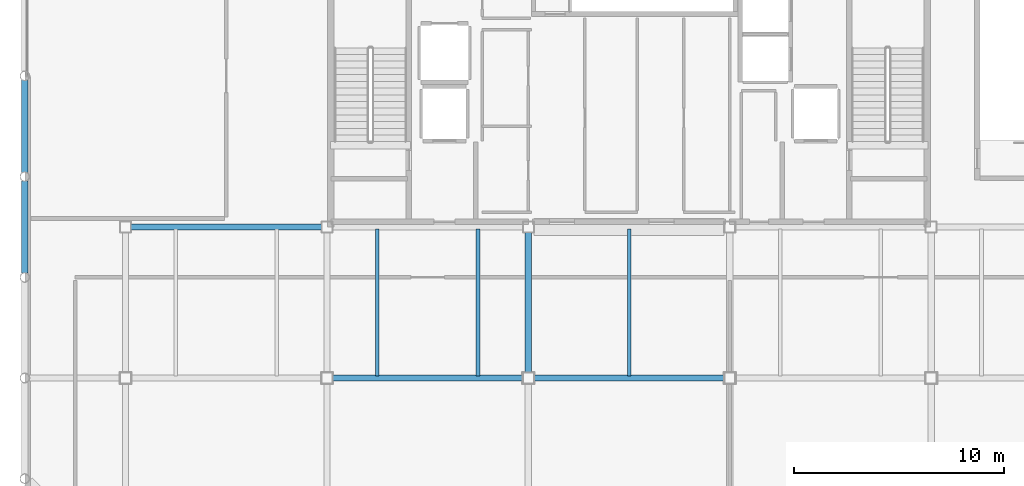
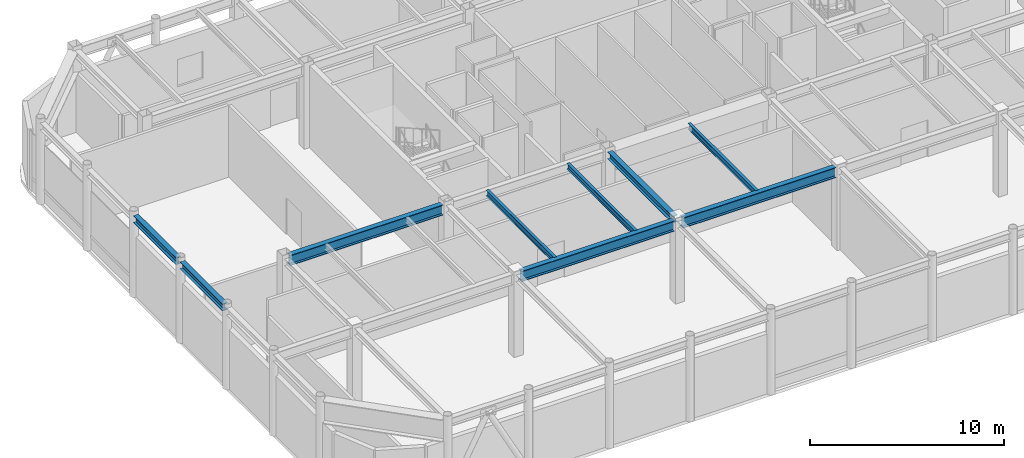
# One storey, part 6 of 21: 9 beams.
"""IFC4 building model written with IfcOpenShell, lengths in metres."""

from ifc_helpers import new_model, si_unit, direction, frame, origin, origin_2d, place, context, subcontext, project, spatial, i_section, extrude, material, material_profile, profile_set, type_object, element, save


model = new_model("IFC4")

# Units and contexts
model_context = context("Model", 3, precision=1e-05, world=origin(), true_north=direction((0.0, 1.0)))
body_context = subcontext(model_context, "Body", "Model", "MODEL_VIEW")
ifc_project = project(units=[si_unit("LENGTHUNIT", "METRE"), si_unit("AREAUNIT", "SQUARE_METRE"), si_unit("VOLUMEUNIT", "CUBIC_METRE"), si_unit("PLANEANGLEUNIT", "RADIAN"), si_unit("MASSUNIT", "GRAM", prefix="KILO")], contexts=[model_context])

# Site, building, storey
site_placement = place(None, origin())
site = spatial("IfcSite", under=ifc_project, at=site_placement, CompositionType="ELEMENT")
building_placement = place(site_placement, origin())
building = spatial("IfcBuilding", under=site, at=building_placement, Name="Kallvorn Hotel Tower", CompositionType="ELEMENT")
storey_placement = place(building_placement, frame((0.0, 0.0, 300.60009765625)))
storey = spatial("IfcBuildingStorey", under=building, at=storey_placement, Name="L74", CompositionType="ELEMENT", Elevation=300.60009765625)

# Beams
ifc_material_1 = material(Name="Structural steel S355JR", Category="steel")
ifc_material_profile_1 = material_profile(ifc_material_1, i_section(OverallWidth=0.300048828125, OverallDepth=0.43994140625, WebThickness=0.011474609375, FlangeThickness=0.02099609375, at=origin_2d()), Name="HE 450 A")
ifc_profile_set_1 = profile_set([ifc_material_profile_1], Name="Structural steel S355JR")
beam_type_1 = type_object("IfcBeamType", Name="BM_HE450A", PredefinedType="BEAM", material=ifc_profile_set_1)
beam_1_placement = place(storey_placement, frame((-28.800048828125, -9.396484375, 4.93994140625), z_axis=(0.0, 1.0, 0.0), x_axis=(-1.0, 0.0, 0.0)))
element("IfcBeam", 1, at=beam_1_placement, inside=storey, type_object=beam_type_1, Name="ROOF Primary Y-Girder 27", PredefinedType="BEAM", context=body_context, shape_type="SweptSolid", body=[
    extrude(i_section(OverallWidth=0.300048828125, OverallDepth=0.43994140625, WebThickness=0.011474609375, FlangeThickness=0.02099609375, at=origin_2d()), origin(), (0.0, 0.0, 1.0), 4.39306640625),
])
beam_2_placement = place(storey_placement, frame((-28.800048828125, -4.596435546875, 4.93994140625), z_axis=(0.0, 1.0, 0.0), x_axis=(-1.0, 0.0, 0.0)))
element("IfcBeam", 2, at=beam_2_placement, inside=storey, type_object=beam_type_1, Name="ROOF Primary Y-Girder 28", PredefinedType="BEAM", context=body_context, shape_type="SweptSolid", body=[
    extrude(i_section(OverallWidth=0.300048828125, OverallDepth=0.43994140625, WebThickness=0.011474609375, FlangeThickness=0.02099609375, at=origin_2d()), origin(), (0.0, 0.0, 1.0), 4.392822265625),
])
beam_3_placement = place(storey_placement, frame((-4.800048828125, -14.14990234375, 4.93994140625), z_axis=(0.0, 1.0, 0.0), x_axis=(-1.0, 0.0, 0.0)))
element("IfcBeam", 3, at=beam_3_placement, inside=storey, type_object=beam_type_1, Name="ROOF Primary Y-Girder 38", PredefinedType="BEAM", context=body_context, shape_type="SweptSolid", body=[
    extrude(i_section(OverallWidth=0.300048828125, OverallDepth=0.43994140625, WebThickness=0.011474609375, FlangeThickness=0.02099609375, at=origin_2d()), origin(), (0.0, 0.0, 1.0), 6.699951171875),
])
ifc_material_2 = material(Name="Structural steel S355JR", Category="steel")
ifc_material_profile_2 = material_profile(ifc_material_2, i_section(OverallWidth=0.300048828125, OverallDepth=0.64990234375, WebThickness=0.01611328125, FlangeThickness=0.031005859375, at=origin_2d()), Name="HE 650 B")
ifc_profile_set_2 = profile_set([ifc_material_profile_2], Name="Structural steel S355JR")
beam_type_2 = type_object("IfcBeamType", Name="BM_HE650B", PredefinedType="BEAM", material=ifc_profile_set_2)
beam_4_placement = place(storey_placement, frame((-14.14990234375, -14.39990234375, 4.8349609375), z_axis=(1.0, 0.0, 0.0), x_axis=(0.0, 1.0, 0.0)))
element("IfcBeam", 4, at=beam_4_placement, inside=storey, type_object=beam_type_2, Name="ROOF Primary X-Girder 03", PredefinedType="BEAM", context=body_context, shape_type="SweptSolid", body=[
    extrude(i_section(OverallWidth=0.300048828125, OverallDepth=0.64990234375, WebThickness=0.01611328125, FlangeThickness=0.031005859375, at=origin_2d()), origin(), (0.0, 0.0, 1.0), 9.099853515625),
])
for number, where, z_axis, x_axis, name in (
    (5, (-4.550048828125, -14.39990234375, 4.8349609375), (1.0, 0.0, 0.0), (0.0, 1.0, 0.0), "ROOF Primary X-Girder 04"),
    (6, (-23.75, -7.199951171875, 4.8349609375), (1.0, 0.0, 0.0), (0.0, 1.0, 0.0), "ROOF Primary X-Girder 07"),
):
    element("IfcBeam", number, at=place(storey_placement, frame(where, z_axis=z_axis, x_axis=x_axis)), inside=storey, type_object=beam_type_2, Name=name, PredefinedType="BEAM", context=body_context, shape_type="SweptSolid", body=[
        extrude(i_section(OverallWidth=0.300048828125, OverallDepth=0.64990234375, WebThickness=0.01611328125, FlangeThickness=0.031005859375, at=origin_2d()), origin(), (0.0, 0.0, 1.0), 9.10009765625),
    ])
ifc_material_3 = material(Name="Structural steel S355JR", Category="steel")
ifc_material_profile_3 = material_profile(ifc_material_3, i_section(OverallWidth=0.169921875, OverallDepth=0.360107421875, WebThickness=0.008056640625, FlangeThickness=0.0126953125, at=origin_2d()), Name="IPE 360")
ifc_profile_set_3 = profile_set([ifc_material_profile_3], Name="Structural steel S355JR")
beam_type_3 = type_object("IfcBeamType", Name="BM_IPE360", PredefinedType="JOIST", material=ifc_profile_set_3)
for number, where, z_axis, x_axis, name in (
    (7, (-12.0, -14.300048828125, 4.97998046875), (0.0, 1.0, 0.0), (-1.0, 0.0, 0.0), "ROOF Secondary Composite Joist 94"),
    (8, (-7.199951171875, -14.300048828125, 4.97998046875), (0.0, 1.0, 0.0), (-1.0, 0.0, 0.0), "ROOF Secondary Composite Joist 96"),
    (9, (0.0, -14.300048828125, 4.97998046875), (0.0, 1.0, 0.0), (-1.0, 0.0, 0.0), "ROOF Secondary Composite Joist 98"),
):
    element("IfcBeam", number, at=place(storey_placement, frame(where, z_axis=z_axis, x_axis=x_axis)), inside=storey, type_object=beam_type_3, Name=name, PredefinedType="JOIST", context=body_context, shape_type="SweptSolid", body=[
        extrude(i_section(OverallWidth=0.169921875, OverallDepth=0.360107421875, WebThickness=0.008056640625, FlangeThickness=0.0126953125, at=origin_2d()), origin(), (0.0, 0.0, 1.0), 7.0),
    ])

save(model, "model.ifc")
